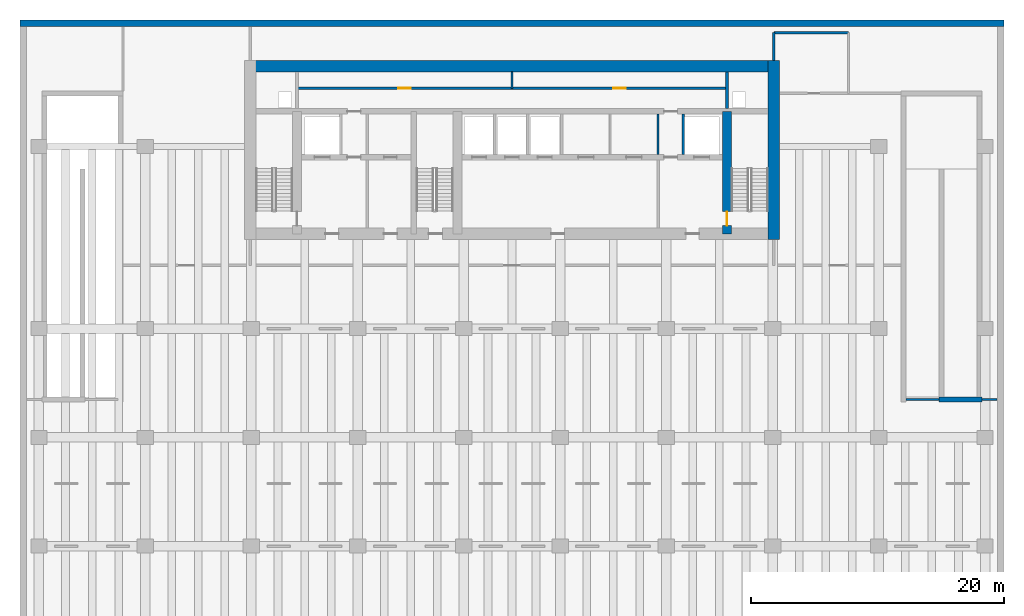
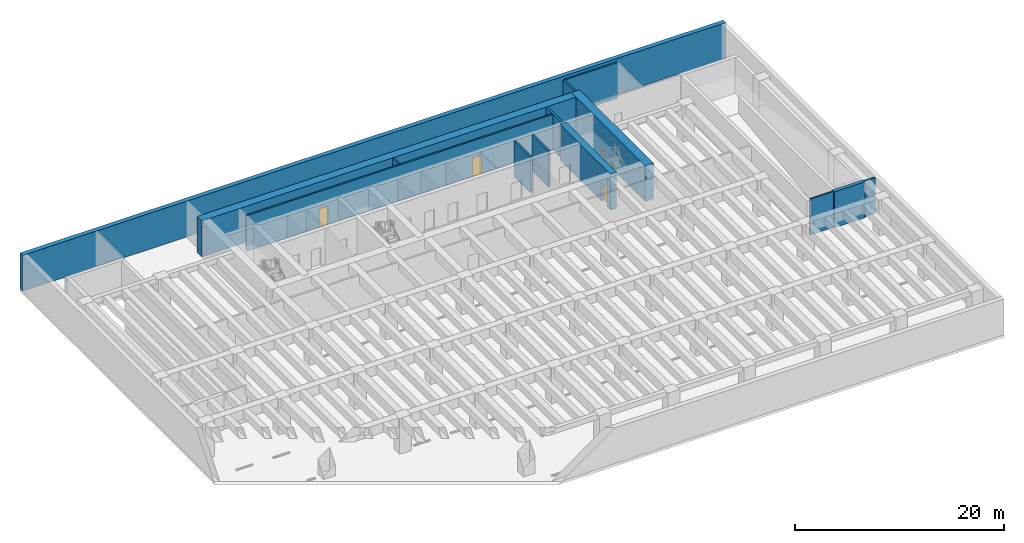
# One storey, part 4 of 8: 14 walls, 3 doors, 3 openings.
"""IFC4 building model written with IfcOpenShell, lengths in metres."""

from ifc_helpers import new_model, si_unit, direction, frame, frame_2d, origin, place, context, subcontext, project, spatial, rectangle, extrude, material, layer, layer_set, type_object, element, fill, save


model = new_model("IFC4")

# Units and contexts
model_context = context("Model", 3, precision=1e-05, world=origin(), true_north=direction((0.0, 1.0)))
body_context = subcontext(model_context, "Body", "Model", "MODEL_VIEW")
ifc_project = project(units=[si_unit("LENGTHUNIT", "METRE"), si_unit("AREAUNIT", "SQUARE_METRE"), si_unit("VOLUMEUNIT", "CUBIC_METRE"), si_unit("PLANEANGLEUNIT", "RADIAN"), si_unit("MASSUNIT", "GRAM", prefix="KILO")], contexts=[model_context])

# Site, building, storey
site_placement = place(None, origin())
site = spatial("IfcSite", under=ifc_project, at=site_placement, CompositionType="ELEMENT")
building_placement = place(site_placement, origin())
building = spatial("IfcBuilding", under=site, at=building_placement, Name="Caelmar Bay Residences", CompositionType="ELEMENT")
storey_placement = place(building_placement, frame((0.0, 0.0, -4.5)))
storey = spatial("IfcBuildingStorey", under=building, at=storey_placement, Name="B01", CompositionType="ELEMENT", Elevation=-4.5)

# Wall
ifc_material_1 = material(Name="Concrete f'c 40 MPa (6,000 psi)", Category="concrete")
ifc_layer_1 = layer(ifc_material_1, 0.5)
ifc_layer_set_1 = layer_set([ifc_layer_1], Name="Concrete f'c 40 MPa (6,000 psi)")
wall_type_1 = type_object("IfcWallType", Name="SW-BSM-500", PredefinedType="SOLIDWALL", material=ifc_layer_set_1)
wall_1_placement = place(storey_placement, frame((0.0, 53.550048828125, 0.0), z_axis=(0.0, 0.0, 1.0), x_axis=(1.0, 0.0, 0.0)))
element("IfcWall", 1, at=wall_1_placement, inside=storey, type_object=wall_type_1, Name="B01 Perimeter Concrete Retaining Wall N", PredefinedType="SOLIDWALL", context=body_context, shape_type="SweptSolid", body=[
    extrude(rectangle(XDim=77.800048828125, YDim=0.5, at=frame_2d((38.89990234375, 0.0))), origin(), (0.0, 0.0, 1.0), 4.199951171875),
])

# Wall, opening, door
ifc_material_2 = material(Name="Concrete f'c 55 MPa (8,000 psi)", Category="concrete")
ifc_layer_2 = layer(ifc_material_2, 0.699951171875)
ifc_layer_set_2 = layer_set([ifc_layer_2], Name="Concrete f'c 55 MPa (8,000 psi)")
wall_type_2 = type_object("IfcWallType", Name="SW-COR-700", PredefinedType="SHEAR", material=ifc_layer_set_2)
wall_2_placement = place(storey_placement, frame((55.89990234375, 36.89990234375, 0.0), z_axis=(0.0, 0.0, 1.0), x_axis=(0.0, 1.0, 0.0)))
wall_2 = element("IfcWall", 2, at=wall_2_placement, inside=storey, type_object=wall_type_2, Name="B01 Core Structural Web Wall ST2W", PredefinedType="SHEAR", context=body_context, shape_type="SweptSolid", body=[
    extrude(rectangle(XDim=9.675048828125, YDim=0.699951171875, at=frame_2d((4.83740234375, 0.0))), origin(), (0.0, 0.0, 1.0), 4.199951171875),
])
opening_1_placement = place(wall_2_placement, frame((0.64990234375, 0.0, 0.0)))
opening_1 = element("IfcOpeningElement", 3, at=opening_1_placement, cuts=wall_2, Name="Opening D-B01-111", PredefinedType="OPENING", context=body_context, shape_type="SweptSolid", body=[
    extrude(rectangle(XDim=1.10009765625, YDim=2.14990234375, at=frame_2d((0.550048828125, 1.074951171875))), frame((0.0, 0.35986328125, 0.0), z_axis=(0.0, -1.0, 0.0), x_axis=(1.0, 0.0, 0.0)), (0.0, 0.0, 1.0), 0.719970703125),
])
ifc_material_3 = material(Name="Fire-rated steel and walnut architectural door assembly", Category="steel")
ifc_layer_3 = layer(ifc_material_3, 0.050048828125)
ifc_layer_set_3 = layer_set([ifc_layer_3], Name="Fire-rated steel and walnut architectural door assembly")
door_type_1 = type_object("IfcDoorType", Name="D-STAIR-1100", OperationType="NOTDEFINED", PredefinedType="DOOR", material=ifc_layer_set_3)
door_1_placement = place(opening_1_placement, origin())
door_1 = element("IfcDoor", 4, at=door_1_placement, inside=storey, type_object=door_type_1, Name="B01 Firefighting Lobby East Door", OperationType="SINGLE_SWING_RIGHT", OverallHeight=2.14990234375, OverallWidth=1.10009765625, PredefinedType="DOOR", context=body_context, shape_type="SweptSolid", body=[
    extrude(rectangle(XDim=1.10009765625, YDim=2.14990234375, at=frame_2d((0.550048828125, 1.074951171875))), frame((0.0, 0.02490234375, 0.0), z_axis=(0.0, -1.0, 0.0), x_axis=(1.0, 0.0, 0.0)), (0.0, 0.0, 1.0), 0.050048828125),
])
fill(opening_1, door_1)

# Walls
ifc_material_4 = material(Name="Concrete f'c 70 MPa (10,000 psi)", Category="concrete")
ifc_layer_4 = layer(ifc_material_4, 0.89990234375)
ifc_layer_set_4 = layer_set([ifc_layer_4], Name="Concrete f'c 70 MPa (10,000 psi)")
wall_type_3 = type_object("IfcWallType", Name="SW-COR-900", PredefinedType="SHEAR", material=ifc_layer_set_4)
wall_3_placement = place(storey_placement, frame((17.75, 50.14990234375, 0.0), z_axis=(0.0, 0.0, 1.0), x_axis=(1.0, 0.0, 0.0)))
element("IfcWall", 5, at=wall_3_placement, inside=storey, type_object=wall_type_3, Name="B01 Rear Core North Shear Wall", PredefinedType="SHEAR", context=body_context, shape_type="SweptSolid", body=[
    extrude(rectangle(XDim=42.300048828125, YDim=0.89990234375, at=frame_2d((21.14990234375, 0.0))), origin(), (0.0, 0.0, 1.0), 4.199951171875),
])
wall_4_placement = place(storey_placement, frame((59.60009765625, 36.449951171875, 0.0), z_axis=(0.0, 0.0, 1.0), x_axis=(0.0, 1.0, 0.0)))
element("IfcWall", 6, at=wall_4_placement, inside=storey, type_object=wall_type_3, Name="B01 Rear Core East Shear Wall", PredefinedType="SHEAR", context=body_context, shape_type="SweptSolid", body=[
    extrude(rectangle(XDim=14.150146484375, YDim=0.89990234375, at=frame_2d((7.0751953125, 0.0))), origin(), (0.0, 0.0, 1.0), 4.199951171875),
])
ifc_layer_5 = layer(ifc_material_1, 0.39990234375)
ifc_layer_set_5 = layer_set([ifc_layer_5], Name="Concrete f'c 40 MPa (6,000 psi)")
wall_type_4 = type_object("IfcWallType", Name="SW-RMP-400", PredefinedType="SHEAR", material=ifc_layer_set_5)
wall_5_placement = place(storey_placement, frame((72.64990234375, 23.800048828125, 0.0), z_axis=(0.0, 0.0, 1.0), x_axis=(1.0, 0.0, 0.0)))
element("IfcWall", 7, at=wall_5_placement, inside=storey, type_object=wall_type_4, Name="Car park vehicle ramp B01 to L00 Structural Enclosure Wall SE", PredefinedType="SHEAR", context=body_context, shape_type="SweptSolid", body=[
    extrude(rectangle(XDim=3.400146484375, YDim=0.39990234375, at=frame_2d((1.7001953125, 0.0))), origin(), (0.0, 0.0, 1.0), 4.199951171875),
])
ifc_material_5 = material(Name="Double-stud acoustic fire-rated gypsum partition 180 mm")
ifc_layer_6 = layer(ifc_material_5, 0.179931640625)
ifc_layer_set_6 = layer_set([ifc_layer_6], Name="Double-stud acoustic fire-rated gypsum partition 180 mm")
wall_type_5 = type_object("IfcWallType", Name="W-COR-200", PredefinedType="PARTITIONING", material=ifc_layer_set_6)
wall_6_placement = place(storey_placement, frame((50.449951171875, 43.169921875, 0.0), z_axis=(0.0, 0.0, 1.0), x_axis=(0.0, 1.0, 0.0)))
element("IfcWall", 8, at=wall_6_placement, inside=storey, type_object=wall_type_5, Name="B01 Partition Wall V014", PredefinedType="PARTITIONING", context=body_context, shape_type="SweptSolid", body=[
    extrude(rectangle(XDim=3.18505859375, YDim=0.179931640625, at=frame_2d((1.592529296875, 0.0))), origin(), (0.0, 0.0, 1.0), 4.199951171875),
])
wall_7_placement = place(storey_placement, frame((59.60009765625, 50.60498046875, 0.0), z_axis=(0.0, 0.0, 1.0), x_axis=(0.0, 1.0, 0.0)))
element("IfcWall", 9, at=wall_7_placement, inside=storey, type_object=wall_type_5, Name="B01 Partition Wall V018", PredefinedType="PARTITIONING", context=body_context, shape_type="SweptSolid", body=[
    extrude(rectangle(XDim=2.195068359375, YDim=0.179931640625, at=frame_2d((1.09765625, 0.0))), origin(), (0.0, 0.0, 1.0), 4.199951171875),
])
wall_8_placement = place(storey_placement, frame((70.044921875, 23.800048828125, 0.0), z_axis=(0.0, 0.0, 1.0), x_axis=(1.0, 0.0, 0.0)))
element("IfcWall", 10, at=wall_8_placement, inside=storey, type_object=wall_type_5, Name="B01 Partition Wall H022", PredefinedType="PARTITIONING", context=body_context, shape_type="SweptSolid", body=[
    extrude(rectangle(XDim=2.60009765625, YDim=0.179931640625, at=frame_2d((1.300048828125, 0.0))), origin(), (0.0, 0.0, 1.0), 4.199951171875),
])
wall_9_placement = place(storey_placement, frame((76.054931640625, 23.800048828125, 0.0), z_axis=(0.0, 0.0, 1.0), x_axis=(1.0, 0.0, 0.0)))
element("IfcWall", 11, at=wall_9_placement, inside=storey, type_object=wall_type_5, Name="B01 Partition Wall H023", PredefinedType="PARTITIONING", context=body_context, shape_type="SweptSolid", body=[
    extrude(rectangle(XDim=1.195068359375, YDim=0.179931640625, at=frame_2d((0.59765625, 0.0))), origin(), (0.0, 0.0, 1.0), 4.199951171875),
])

# Wall, openings, doors
wall_10_placement = place(storey_placement, frame((21.89990234375, 48.39990234375, 0.0), z_axis=(0.0, 0.0, 1.0), x_axis=(1.0, 0.0, 0.0)))
wall_10 = element("IfcWall", 12, at=wall_10_placement, inside=storey, type_object=wall_type_5, Name="B01 Partition Wall H026", PredefinedType="PARTITIONING", context=body_context, shape_type="SweptSolid", body=[
    extrude(rectangle(XDim=34.0, YDim=0.179931640625, at=frame_2d((17.0, 0.0))), origin(), (0.0, 0.0, 1.0), 4.199951171875),
])
opening_2_placement = place(wall_10_placement, frame((8.0, 0.0, 0.0)))
opening_2 = element("IfcOpeningElement", 13, at=opening_2_placement, cuts=wall_10, Name="Opening D-B01-120", PredefinedType="OPENING", context=body_context, shape_type="SweptSolid", body=[
    extrude(rectangle(XDim=1.0, YDim=2.199951171875, at=frame_2d((0.5, 1.10009765625))), frame((0.0, 0.099853515625, 0.0), z_axis=(0.0, -1.0, 0.0), x_axis=(1.0, 0.0, 0.0)), (0.0, 0.0, 1.0), 0.199951171875),
])
opening_3_placement = place(wall_10_placement, frame((25.0, 0.0, 0.0)))
opening_3 = element("IfcOpeningElement", 14, at=opening_3_placement, cuts=wall_10, Name="Opening D-B01-121", PredefinedType="OPENING", context=body_context, shape_type="SweptSolid", body=[
    extrude(rectangle(XDim=1.0, YDim=2.199951171875, at=frame_2d((0.5, 1.10009765625))), frame((0.0, 0.099853515625, 0.0), z_axis=(0.0, -1.0, 0.0), x_axis=(1.0, 0.0, 0.0)), (0.0, 0.0, 1.0), 0.199951171875),
])
ifc_layer_7 = layer(ifc_material_3, 0.050048828125)
ifc_layer_set_7 = layer_set([ifc_layer_7], Name="Fire-rated steel and walnut architectural door assembly")
door_type_2 = type_object("IfcDoorType", Name="D-UNIT-1000", OperationType="NOTDEFINED", PredefinedType="DOOR", material=ifc_layer_set_7)
door_2_placement = place(opening_2_placement, origin())
door_2 = element("IfcDoor", 15, at=door_2_placement, inside=storey, type_object=door_type_2, Name="B01 Building Management Office Door", OperationType="SINGLE_SWING_LEFT", OverallHeight=2.199951171875, OverallWidth=1.0, PredefinedType="DOOR", context=body_context, shape_type="SweptSolid", body=[
    extrude(rectangle(XDim=1.0, YDim=2.199951171875, at=frame_2d((0.5, 1.10009765625))), frame((0.0, 0.02490234375, 0.0), z_axis=(0.0, -1.0, 0.0), x_axis=(1.0, 0.0, 0.0)), (0.0, 0.0, 1.0), 0.050048828125),
])
fill(opening_2, door_2)
door_3_placement = place(opening_3_placement, origin())
door_3 = element("IfcDoor", 16, at=door_3_placement, inside=storey, type_object=door_type_2, Name="B01 Concierge Operations Office Door", OperationType="SINGLE_SWING_RIGHT", OverallHeight=2.199951171875, OverallWidth=1.0, PredefinedType="DOOR", context=body_context, shape_type="SweptSolid", body=[
    extrude(rectangle(XDim=1.0, YDim=2.199951171875, at=frame_2d((0.5, 1.10009765625))), frame((0.0, 0.02490234375, 0.0), z_axis=(0.0, -1.0, 0.0), x_axis=(1.0, 0.0, 0.0)), (0.0, 0.0, 1.0), 0.050048828125),
])
fill(opening_3, door_3)

# Walls
wall_11_placement = place(storey_placement, frame((59.60009765625, 52.800048828125, 0.0), z_axis=(0.0, 0.0, 1.0), x_axis=(1.0, 0.0, 0.0)))
element("IfcWall", 17, at=wall_11_placement, inside=storey, type_object=wall_type_5, Name="B01 Partition Wall H027", PredefinedType="PARTITIONING", context=body_context, shape_type="SweptSolid", body=[
    extrude(rectangle(XDim=5.89990234375, YDim=0.179931640625, at=frame_2d((2.949951171875, 0.0))), origin(), (0.0, 0.0, 1.0), 4.199951171875),
])
ifc_material_6 = material(Name="Fire-rated masonry and gypsum shaftliner assembly 200 mm", Category="masonry")
ifc_layer_8 = layer(ifc_material_6, 0.199951171875)
ifc_layer_set_8 = layer_set([ifc_layer_8], Name="Fire-rated masonry and gypsum shaftliner assembly 200 mm")
wall_type_6 = type_object("IfcWallType", Name="W-FSAE-200", PredefinedType="PARTITIONING", material=ifc_layer_set_8)
wall_12_placement = place(storey_placement, frame((52.449951171875, 43.169921875, 0.0), z_axis=(0.0, 0.0, 1.0), x_axis=(0.0, 1.0, 0.0)))
element("IfcWall", 18, at=wall_12_placement, inside=storey, type_object=wall_type_6, Name="B01 Partition Wall V015", PredefinedType="PARTITIONING", context=body_context, shape_type="SweptSolid", body=[
    extrude(rectangle(XDim=3.18505859375, YDim=0.199951171875, at=frame_2d((1.592529296875, 0.0))), origin(), (0.0, 0.0, 1.0), 4.199951171875),
])
wall_13_placement = place(storey_placement, frame((55.89990234375, 46.794921875, 0.0), z_axis=(0.0, 0.0, 1.0), x_axis=(0.0, 1.0, 0.0)))
element("IfcWall", 19, at=wall_13_placement, inside=storey, type_object=wall_type_6, Name="B01 Partition Wall V016", PredefinedType="PARTITIONING", context=body_context, shape_type="SweptSolid", body=[
    extrude(rectangle(XDim=2.91015625, YDim=0.199951171875, at=frame_2d((1.455078125, 0.0))), origin(), (0.0, 0.0, 1.0), 4.199951171875),
])
ifc_material_7 = material(Name="Acoustic metal-stud gypsum partition 120 mm")
ifc_layer_9 = layer(ifc_material_7, 0.1201171875)
ifc_layer_set_9 = layer_set([ifc_layer_9], Name="Acoustic metal-stud gypsum partition 120 mm")
wall_type_7 = type_object("IfcWallType", Name="W-PRT-120", PredefinedType="PARTITIONING", material=ifc_layer_set_9)
wall_14_placement = place(storey_placement, frame((38.89990234375, 48.39990234375, 0.0), z_axis=(0.0, 0.0, 1.0), x_axis=(0.0, 1.0, 0.0)))
element("IfcWall", 20, at=wall_14_placement, inside=storey, type_object=wall_type_7, Name="B01 Partition Wall V009", PredefinedType="PARTITIONING", context=body_context, shape_type="SweptSolid", body=[
    extrude(rectangle(XDim=1.30517578125, YDim=0.1201171875, at=frame_2d((0.652587890625, 0.0))), origin(), (0.0, 0.0, 1.0), 4.199951171875),
])

save(model, "model.ifc")
